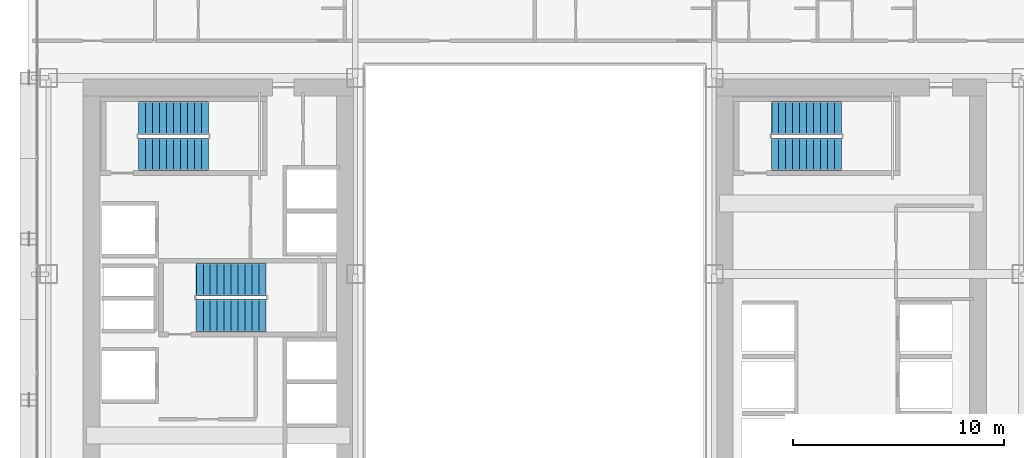
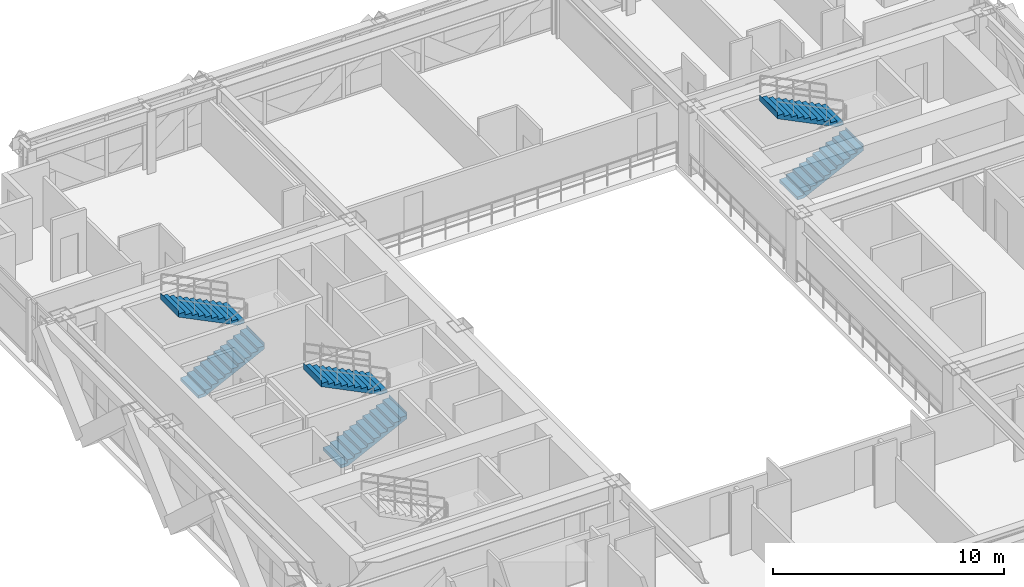
# One storey, part 31 of 35: 6 stair flights, 3 elements without a shape of their own.
"""IFC4 building model written with IfcOpenShell, lengths in metres."""

from ifc_helpers import new_model, si_unit, direction, frame, origin, place, context, subcontext, project, spatial, polyline, outline, extrude, source, transform, mapped, material, type_object, element, aggregate, save


model = new_model("IFC4")

# Units and contexts
model_context = context("Model", 3, precision=1e-05, world=origin(), true_north=direction((0.0, 1.0)))
body_context = subcontext(model_context, "Body", "Model", "MODEL_VIEW")
ifc_project = project(units=[si_unit("LENGTHUNIT", "METRE"), si_unit("AREAUNIT", "SQUARE_METRE"), si_unit("VOLUMEUNIT", "CUBIC_METRE"), si_unit("PLANEANGLEUNIT", "RADIAN"), si_unit("MASSUNIT", "GRAM", prefix="KILO")], contexts=[model_context])

# Site, building, storey
site_placement = place(None, origin())
site = spatial("IfcSite", under=ifc_project, at=site_placement, CompositionType="ELEMENT")
building_placement = place(site_placement, origin())
building = spatial("IfcBuilding", under=site, at=building_placement, Name="Ocotamira Hotel", CompositionType="ELEMENT")
storey_placement = place(building_placement, frame((0.0, 0.0, 81.60009765625)))
storey = spatial("IfcBuildingStorey", under=building, at=storey_placement, Name="L20", CompositionType="ELEMENT", Elevation=81.60009765625)

# Stair, stair flights
ifc_material = material(Name="Concrete C40/50", Category="concrete")
stair_type = type_object("IfcStairType", Name="ST-CORE-1560", PredefinedType="HALF_TURN_STAIR", material=ifc_material)
stair_1_placement = place(storey_placement, origin())
stair_1 = element("IfcStair", 1, at=stair_1_placement, inside=storey, type_object=stair_type, Name="L20 Exit Stair ST-2", PredefinedType="HALF_TURN_STAIR")
stair_flight_type = type_object("IfcStairFlightType", Name="STF-CORE-1560", PredefinedType="STRAIGHT", material=ifc_material)
shared_shape = source(origin(), body_context, "Body", "SweptSolid", [
    extrude(outline(polyline([(-0.00390625, 0.0), (-0.00390625, 0.16357421875), (0.330078125, 0.16357421875), (0.330078125, 0.327392578125), (0.659912109375, 0.327392578125), (0.659912109375, 0.490966796875), (0.989990234375, 0.490966796875), (0.989990234375, 0.654541015625), (1.320068359375, 0.654541015625), (1.320068359375, 0.818115234375), (1.64990234375, 0.818115234375), (1.64990234375, 0.98193359375), (1.97998046875, 0.98193359375), (1.97998046875, 1.1455078125), (2.31005859375, 1.1455078125), (2.31005859375, 1.30908203125), (2.639892578125, 1.30908203125), (2.639892578125, 1.47265625), (2.969970703125, 1.47265625), (2.969970703125, 1.636474609375), (3.300048828125, 1.636474609375), (3.300048828125, 1.800048828125), (3.303955078125, 1.800048828125), (3.303955078125, 1.468994140625), (0.33740234375, 0.0), (-0.00390625, 0.0)])), frame((0.0, 0.780029296875, 0.0), z_axis=(0.0, -1.0, 0.0), x_axis=(1.0, 0.0, 0.0)), (0.0, 0.0, 1.0), 1.56005859375),
])
stair_flight_1_placement = place(storey_placement, frame((13.22998046875, 33.830078125, 0.0), z_axis=(0.0, 0.0, 1.0), x_axis=(1.0, 0.0, 0.0)))
stair_flight_1 = element("IfcStairFlight", 2, at=stair_flight_1_placement, type_object=stair_flight_type, Name="ST-2 flight 1", NumberOfRisers=11, NumberOfTreads=10, PredefinedType="STRAIGHT", RiserHeight=0.163636364, TreadLength=0.33, context=body_context, shape_type="MappedRepresentation", body=[
    mapped(shared_shape, transform((0.0, 0.0, 0.0), scale=1.0)),
])
stair_flight_2_placement = place(storey_placement, frame((16.530029296875, 35.550048828125, 1.7998046875), z_axis=(0.0, 0.0, 1.0), x_axis=(-1.0, 0.0, 0.0)))
stair_flight_2 = element("IfcStairFlight", 3, at=stair_flight_2_placement, type_object=stair_flight_type, Name="ST-2 flight 2", NumberOfRisers=11, NumberOfTreads=10, PredefinedType="STRAIGHT", RiserHeight=0.163636364, TreadLength=0.33, context=body_context, shape_type="MappedRepresentation", body=[
    mapped(shared_shape, transform((0.0, 0.0, 0.0), scale=1.0)),
])
aggregate(stair_1, [stair_flight_1, stair_flight_2])

stair_2_placement = place(storey_placement, origin())
stair_2 = element("IfcStair", 4, at=stair_2_placement, inside=storey, type_object=stair_type, Name="L20 Exit Stair ST-3", PredefinedType="HALF_TURN_STAIR")
stair_flight_3_placement = place(storey_placement, frame((15.9599609375, 26.179931640625, 0.0), z_axis=(0.0, 0.0, 1.0), x_axis=(1.0, 0.0, 0.0)))
stair_flight_3 = element("IfcStairFlight", 5, at=stair_flight_3_placement, type_object=stair_flight_type, Name="ST-3 flight 1", NumberOfRisers=11, NumberOfTreads=10, PredefinedType="STRAIGHT", RiserHeight=0.163636364, TreadLength=0.33, context=body_context, shape_type="MappedRepresentation", body=[
    mapped(shared_shape, transform((0.0, 0.0, 0.0), scale=1.0)),
])
stair_flight_4_placement = place(storey_placement, frame((19.260009765625, 27.89990234375, 1.7998046875), z_axis=(0.0, 0.0, 1.0), x_axis=(-1.0, 0.0, 0.0)))
stair_flight_4 = element("IfcStairFlight", 6, at=stair_flight_4_placement, type_object=stair_flight_type, Name="ST-3 flight 2", NumberOfRisers=11, NumberOfTreads=10, PredefinedType="STRAIGHT", RiserHeight=0.163636364, TreadLength=0.33, context=body_context, shape_type="MappedRepresentation", body=[
    mapped(shared_shape, transform((0.0, 0.0, 0.0), scale=1.0)),
])
aggregate(stair_2, [stair_flight_3, stair_flight_4])

stair_3_placement = place(storey_placement, origin())
stair_3 = element("IfcStair", 7, at=stair_3_placement, inside=storey, type_object=stair_type, Name="L20 Exit Stair ST-4", PredefinedType="HALF_TURN_STAIR")
stair_flight_5_placement = place(storey_placement, frame((43.22998046875, 33.830078125, 0.0), z_axis=(0.0, 0.0, 1.0), x_axis=(1.0, 0.0, 0.0)))
stair_flight_5 = element("IfcStairFlight", 8, at=stair_flight_5_placement, type_object=stair_flight_type, Name="ST-4 flight 1", NumberOfRisers=11, NumberOfTreads=10, PredefinedType="STRAIGHT", RiserHeight=0.163636364, TreadLength=0.33, context=body_context, shape_type="MappedRepresentation", body=[
    mapped(shared_shape, transform((0.0, 0.0, 0.0), scale=1.0)),
])
stair_flight_6_placement = place(storey_placement, frame((46.530029296875, 35.550048828125, 1.7998046875), z_axis=(0.0, 0.0, 1.0), x_axis=(-1.0, 0.0, 0.0)))
stair_flight_6 = element("IfcStairFlight", 9, at=stair_flight_6_placement, type_object=stair_flight_type, Name="ST-4 flight 2", NumberOfRisers=11, NumberOfTreads=10, PredefinedType="STRAIGHT", RiserHeight=0.163636364, TreadLength=0.33, context=body_context, shape_type="MappedRepresentation", body=[
    mapped(shared_shape, transform((0.0, 0.0, 0.0), scale=1.0)),
])
aggregate(stair_3, [stair_flight_5, stair_flight_6])

save(model, "model.ifc")
